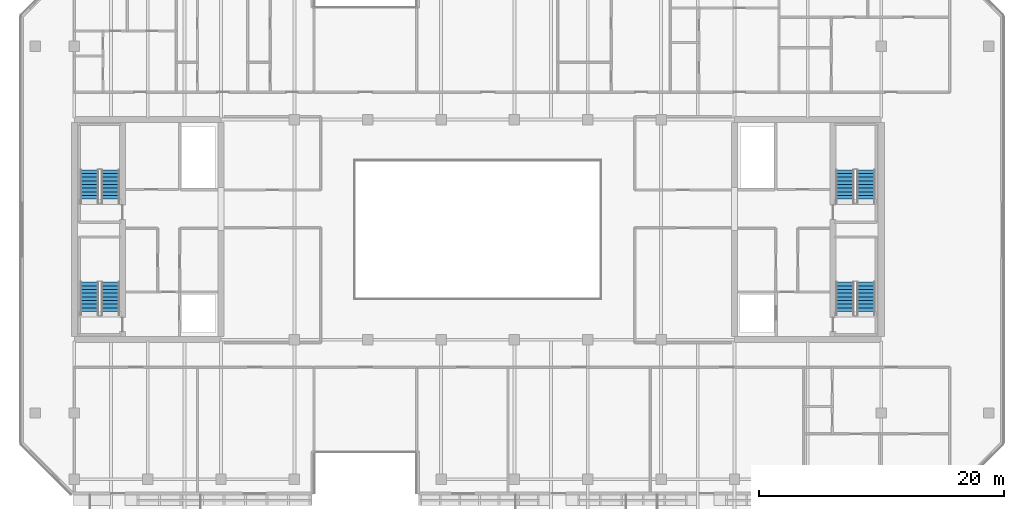
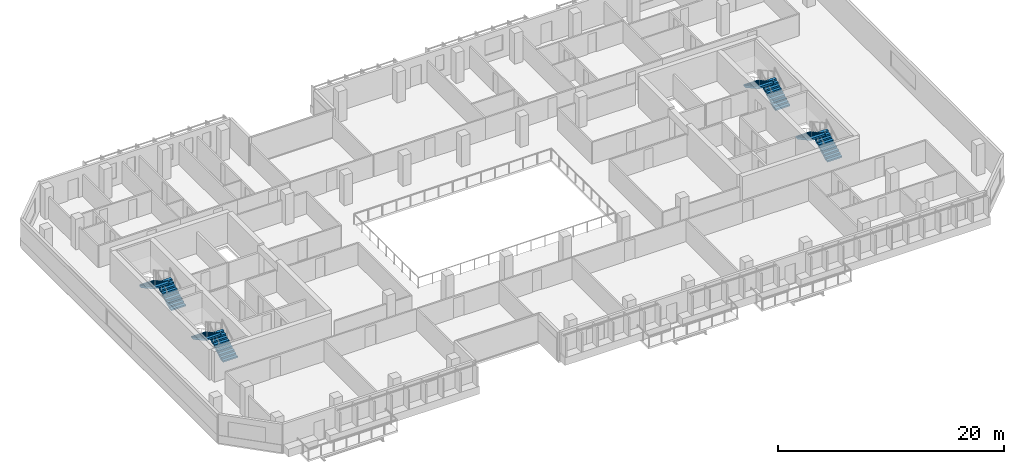
# One storey, part 14 of 19: 8 stair flights, 4 elements without a shape of their own.
"""IFC4 building model written with IfcOpenShell, lengths in metres."""

from ifc_helpers import new_model, si_unit, direction, frame, origin, place, context, subcontext, project, spatial, polyline, outline, extrude, material, type_object, element, aggregate, save


model = new_model("IFC4")

# Units and contexts
model_context = context("Model", 3, precision=1e-05, world=origin(), true_north=direction((0.0, 1.0)))
body_context = subcontext(model_context, "Body", "Model", "MODEL_VIEW")
ifc_project = project(units=[si_unit("LENGTHUNIT", "METRE"), si_unit("AREAUNIT", "SQUARE_METRE"), si_unit("VOLUMEUNIT", "CUBIC_METRE"), si_unit("PLANEANGLEUNIT", "RADIAN"), si_unit("MASSUNIT", "GRAM", prefix="KILO")], contexts=[model_context])

# Site, building, storey
site_placement = place(None, origin())
site = spatial("IfcSite", under=ifc_project, at=site_placement, CompositionType="ELEMENT")
building_placement = place(site_placement, origin())
building = spatial("IfcBuilding", under=site, at=building_placement, Name="Tanjung Sevakor Pilgrim Tower", CompositionType="ELEMENT")
storey_placement = place(building_placement, frame((0.0, 0.0, 155.10009765625)))
storey = spatial("IfcBuildingStorey", under=building, at=storey_placement, Name="L43", CompositionType="ELEMENT", Elevation=155.10009765625)

# Stair, stair flights
ifc_material_1 = material(Name="Concrete C40/50", Category="concrete")
stair_type = type_object("IfcStairType", Name="STAIR-ST-CR150", PredefinedType="HALF_TURN_STAIR", material=ifc_material_1)
stair_1_placement = place(storey_placement, origin())
stair_1 = element("IfcStair", 1, at=stair_1_placement, inside=storey, type_object=stair_type, Name="L43 West Core Exit Stair 1", PredefinedType="HALF_TURN_STAIR")
ifc_material_2 = material(Name="Concrete C40/50", Category="concrete")
stair_flight_type = type_object("IfcStairFlightType", Name="FLIGHT-ST-CR150", PredefinedType="STRAIGHT", material=ifc_material_2)
stair_flight_1_placement = place(storey_placement, frame((26.949951171875, 26.60009765625, 0.0), z_axis=(0.0, 0.0, 1.0), x_axis=(0.0, 1.0, 0.0)))
stair_flight_1 = element("IfcStairFlight", 2, at=stair_flight_1_placement, type_object=stair_flight_type, Name="TS-W1 flight 1", NumberOfRisers=10, NumberOfTreads=9, PredefinedType="STRAIGHT", RiserHeight=0.165, TreadLength=0.3, context=body_context, shape_type="SweptSolid", body=[
    extrude(outline(polyline([(0.0, 0.0), (0.0, 0.1650390625), (0.300048828125, 0.1650390625), (0.300048828125, 0.330078125), (0.60009765625, 0.330078125), (0.60009765625, 0.4951171875), (0.89990234375, 0.4951171875), (0.89990234375, 0.659912109375), (1.199951171875, 0.659912109375), (1.199951171875, 0.824951171875), (1.5, 0.824951171875), (1.5, 0.989990234375), (1.800048828125, 0.989990234375), (1.800048828125, 1.155029296875), (2.10009765625, 1.155029296875), (2.10009765625, 1.320068359375), (2.39990234375, 1.320068359375), (2.39990234375, 1.485107421875), (2.699951171875, 1.485107421875), (2.699951171875, 1.64990234375), (2.699951171875, 1.302490234375), (0.331787109375, 0.0), (0.0, 0.0)])), frame((0.0, 0.75, 0.0), z_axis=(0.0, -1.0, 0.0), x_axis=(1.0, 0.0, 0.0)), (0.0, 0.0, 1.0), 1.5),
])
stair_flight_2_placement = place(storey_placement, frame((25.25, 29.300048828125, 1.64990234375), z_axis=(0.0, 0.0, 1.0), x_axis=(0.0, -1.0, 0.0)))
stair_flight_2 = element("IfcStairFlight", 3, at=stair_flight_2_placement, type_object=stair_flight_type, Name="TS-W1 flight 2", NumberOfRisers=10, NumberOfTreads=9, PredefinedType="STRAIGHT", RiserHeight=0.165, TreadLength=0.3, context=body_context, shape_type="SweptSolid", body=[
    extrude(outline(polyline([(0.0, 0.0), (0.0, 0.1650390625), (0.300048828125, 0.1650390625), (0.300048828125, 0.330078125), (0.60009765625, 0.330078125), (0.60009765625, 0.4951171875), (0.89990234375, 0.4951171875), (0.89990234375, 0.659912109375), (1.199951171875, 0.659912109375), (1.199951171875, 0.824951171875), (1.5, 0.824951171875), (1.5, 0.989990234375), (1.800048828125, 0.989990234375), (1.800048828125, 1.155029296875), (2.10009765625, 1.155029296875), (2.10009765625, 1.320068359375), (2.39990234375, 1.320068359375), (2.39990234375, 1.485107421875), (2.699951171875, 1.485107421875), (2.699951171875, 1.64990234375), (2.699951171875, 1.302490234375), (0.331787109375, 0.0), (0.0, 0.0)])), frame((0.0, 0.75, 0.0), z_axis=(0.0, -1.0, 0.0), x_axis=(1.0, 0.0, 0.0)), (0.0, 0.0, 1.0), 1.5),
])
aggregate(stair_1, [stair_flight_1, stair_flight_2])

stair_2_placement = place(storey_placement, origin())
stair_2 = element("IfcStair", 4, at=stair_2_placement, inside=storey, type_object=stair_type, Name="L43 West Core Exit Stair 2", PredefinedType="HALF_TURN_STAIR")
stair_flight_3_placement = place(storey_placement, frame((26.949951171875, 35.800048828125, 0.0), z_axis=(0.0, 0.0, 1.0), x_axis=(0.0, 1.0, 0.0)))
stair_flight_3 = element("IfcStairFlight", 5, at=stair_flight_3_placement, type_object=stair_flight_type, Name="TS-W2 flight 1", NumberOfRisers=10, NumberOfTreads=9, PredefinedType="STRAIGHT", RiserHeight=0.165, TreadLength=0.3, context=body_context, shape_type="SweptSolid", body=[
    extrude(outline(polyline([(0.0, 0.0), (0.0, 0.1650390625), (0.300048828125, 0.1650390625), (0.300048828125, 0.330078125), (0.60009765625, 0.330078125), (0.60009765625, 0.4951171875), (0.89990234375, 0.4951171875), (0.89990234375, 0.659912109375), (1.199951171875, 0.659912109375), (1.199951171875, 0.824951171875), (1.5, 0.824951171875), (1.5, 0.989990234375), (1.800048828125, 0.989990234375), (1.800048828125, 1.155029296875), (2.10009765625, 1.155029296875), (2.10009765625, 1.320068359375), (2.39990234375, 1.320068359375), (2.39990234375, 1.485107421875), (2.699951171875, 1.485107421875), (2.699951171875, 1.64990234375), (2.699951171875, 1.302490234375), (0.331787109375, 0.0), (0.0, 0.0)])), frame((0.0, 0.75, 0.0), z_axis=(0.0, -1.0, 0.0), x_axis=(1.0, 0.0, 0.0)), (0.0, 0.0, 1.0), 1.5),
])
stair_flight_4_placement = place(storey_placement, frame((25.25, 38.5, 1.64990234375), z_axis=(0.0, 0.0, 1.0), x_axis=(0.0, -1.0, 0.0)))
stair_flight_4 = element("IfcStairFlight", 6, at=stair_flight_4_placement, type_object=stair_flight_type, Name="TS-W2 flight 2", NumberOfRisers=10, NumberOfTreads=9, PredefinedType="STRAIGHT", RiserHeight=0.165, TreadLength=0.3, context=body_context, shape_type="SweptSolid", body=[
    extrude(outline(polyline([(0.0, 0.0), (0.0, 0.1650390625), (0.300048828125, 0.1650390625), (0.300048828125, 0.330078125), (0.60009765625, 0.330078125), (0.60009765625, 0.4951171875), (0.89990234375, 0.4951171875), (0.89990234375, 0.659912109375), (1.199951171875, 0.659912109375), (1.199951171875, 0.824951171875), (1.5, 0.824951171875), (1.5, 0.989990234375), (1.800048828125, 0.989990234375), (1.800048828125, 1.155029296875), (2.10009765625, 1.155029296875), (2.10009765625, 1.320068359375), (2.39990234375, 1.320068359375), (2.39990234375, 1.485107421875), (2.699951171875, 1.485107421875), (2.699951171875, 1.64990234375), (2.699951171875, 1.302490234375), (0.331787109375, 0.0), (0.0, 0.0)])), frame((0.0, 0.75, 0.0), z_axis=(0.0, -1.0, 0.0), x_axis=(1.0, 0.0, 0.0)), (0.0, 0.0, 1.0), 1.5),
])
aggregate(stair_2, [stair_flight_3, stair_flight_4])

stair_3_placement = place(storey_placement, origin())
stair_3 = element("IfcStair", 7, at=stair_3_placement, inside=storey, type_object=stair_type, Name="L43 East Core Exit Stair 1", PredefinedType="HALF_TURN_STAIR")
stair_flight_5_placement = place(storey_placement, frame((88.75, 26.60009765625, 0.0), z_axis=(0.0, 0.0, 1.0), x_axis=(0.0, 1.0, 0.0)))
stair_flight_5 = element("IfcStairFlight", 8, at=stair_flight_5_placement, type_object=stair_flight_type, Name="TS-E1 flight 1", NumberOfRisers=10, NumberOfTreads=9, PredefinedType="STRAIGHT", RiserHeight=0.165, TreadLength=0.3, context=body_context, shape_type="SweptSolid", body=[
    extrude(outline(polyline([(0.0, 0.0), (0.0, 0.1650390625), (0.300048828125, 0.1650390625), (0.300048828125, 0.330078125), (0.60009765625, 0.330078125), (0.60009765625, 0.4951171875), (0.89990234375, 0.4951171875), (0.89990234375, 0.659912109375), (1.199951171875, 0.659912109375), (1.199951171875, 0.824951171875), (1.5, 0.824951171875), (1.5, 0.989990234375), (1.800048828125, 0.989990234375), (1.800048828125, 1.155029296875), (2.10009765625, 1.155029296875), (2.10009765625, 1.320068359375), (2.39990234375, 1.320068359375), (2.39990234375, 1.485107421875), (2.699951171875, 1.485107421875), (2.699951171875, 1.64990234375), (2.699951171875, 1.302490234375), (0.331787109375, 0.0), (0.0, 0.0)])), frame((0.0, 0.75, 0.0), z_axis=(0.0, -1.0, 0.0), x_axis=(1.0, 0.0, 0.0)), (0.0, 0.0, 1.0), 1.5),
])
stair_flight_6_placement = place(storey_placement, frame((87.050048828125, 29.300048828125, 1.64990234375), z_axis=(0.0, 0.0, 1.0), x_axis=(0.0, -1.0, 0.0)))
stair_flight_6 = element("IfcStairFlight", 9, at=stair_flight_6_placement, type_object=stair_flight_type, Name="TS-E1 flight 2", NumberOfRisers=10, NumberOfTreads=9, PredefinedType="STRAIGHT", RiserHeight=0.165, TreadLength=0.3, context=body_context, shape_type="SweptSolid", body=[
    extrude(outline(polyline([(0.0, 0.0), (0.0, 0.1650390625), (0.300048828125, 0.1650390625), (0.300048828125, 0.330078125), (0.60009765625, 0.330078125), (0.60009765625, 0.4951171875), (0.89990234375, 0.4951171875), (0.89990234375, 0.659912109375), (1.199951171875, 0.659912109375), (1.199951171875, 0.824951171875), (1.5, 0.824951171875), (1.5, 0.989990234375), (1.800048828125, 0.989990234375), (1.800048828125, 1.155029296875), (2.10009765625, 1.155029296875), (2.10009765625, 1.320068359375), (2.39990234375, 1.320068359375), (2.39990234375, 1.485107421875), (2.699951171875, 1.485107421875), (2.699951171875, 1.64990234375), (2.699951171875, 1.302490234375), (0.331787109375, 0.0), (0.0, 0.0)])), frame((0.0, 0.75, 0.0), z_axis=(0.0, -1.0, 0.0), x_axis=(1.0, 0.0, 0.0)), (0.0, 0.0, 1.0), 1.5),
])
aggregate(stair_3, [stair_flight_5, stair_flight_6])

stair_4_placement = place(storey_placement, origin())
stair_4 = element("IfcStair", 10, at=stair_4_placement, inside=storey, type_object=stair_type, Name="L43 East Core Exit Stair 2", PredefinedType="HALF_TURN_STAIR")
stair_flight_7_placement = place(storey_placement, frame((88.75, 35.800048828125, 0.0), z_axis=(0.0, 0.0, 1.0), x_axis=(0.0, 1.0, 0.0)))
stair_flight_7 = element("IfcStairFlight", 11, at=stair_flight_7_placement, type_object=stair_flight_type, Name="TS-E2 flight 1", NumberOfRisers=10, NumberOfTreads=9, PredefinedType="STRAIGHT", RiserHeight=0.165, TreadLength=0.3, context=body_context, shape_type="SweptSolid", body=[
    extrude(outline(polyline([(0.0, 0.0), (0.0, 0.1650390625), (0.300048828125, 0.1650390625), (0.300048828125, 0.330078125), (0.60009765625, 0.330078125), (0.60009765625, 0.4951171875), (0.89990234375, 0.4951171875), (0.89990234375, 0.659912109375), (1.199951171875, 0.659912109375), (1.199951171875, 0.824951171875), (1.5, 0.824951171875), (1.5, 0.989990234375), (1.800048828125, 0.989990234375), (1.800048828125, 1.155029296875), (2.10009765625, 1.155029296875), (2.10009765625, 1.320068359375), (2.39990234375, 1.320068359375), (2.39990234375, 1.485107421875), (2.699951171875, 1.485107421875), (2.699951171875, 1.64990234375), (2.699951171875, 1.302490234375), (0.331787109375, 0.0), (0.0, 0.0)])), frame((0.0, 0.75, 0.0), z_axis=(0.0, -1.0, 0.0), x_axis=(1.0, 0.0, 0.0)), (0.0, 0.0, 1.0), 1.5),
])
stair_flight_8_placement = place(storey_placement, frame((87.050048828125, 38.5, 1.64990234375), z_axis=(0.0, 0.0, 1.0), x_axis=(0.0, -1.0, 0.0)))
stair_flight_8 = element("IfcStairFlight", 12, at=stair_flight_8_placement, type_object=stair_flight_type, Name="TS-E2 flight 2", NumberOfRisers=10, NumberOfTreads=9, PredefinedType="STRAIGHT", RiserHeight=0.165, TreadLength=0.3, context=body_context, shape_type="SweptSolid", body=[
    extrude(outline(polyline([(0.0, 0.0), (0.0, 0.1650390625), (0.300048828125, 0.1650390625), (0.300048828125, 0.330078125), (0.60009765625, 0.330078125), (0.60009765625, 0.4951171875), (0.89990234375, 0.4951171875), (0.89990234375, 0.659912109375), (1.199951171875, 0.659912109375), (1.199951171875, 0.824951171875), (1.5, 0.824951171875), (1.5, 0.989990234375), (1.800048828125, 0.989990234375), (1.800048828125, 1.155029296875), (2.10009765625, 1.155029296875), (2.10009765625, 1.320068359375), (2.39990234375, 1.320068359375), (2.39990234375, 1.485107421875), (2.699951171875, 1.485107421875), (2.699951171875, 1.64990234375), (2.699951171875, 1.302490234375), (0.331787109375, 0.0), (0.0, 0.0)])), frame((0.0, 0.75, 0.0), z_axis=(0.0, -1.0, 0.0), x_axis=(1.0, 0.0, 0.0)), (0.0, 0.0, 1.0), 1.5),
])
aggregate(stair_4, [stair_flight_7, stair_flight_8])

save(model, "model.ifc")
